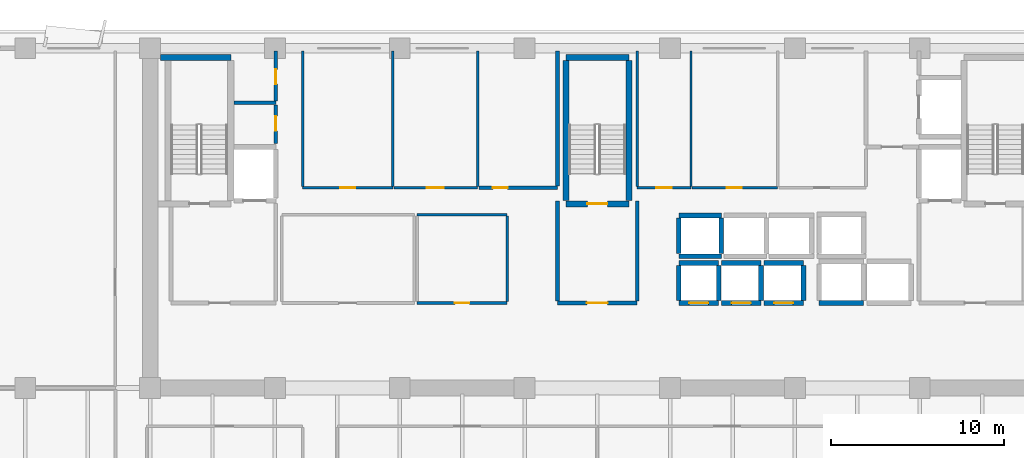
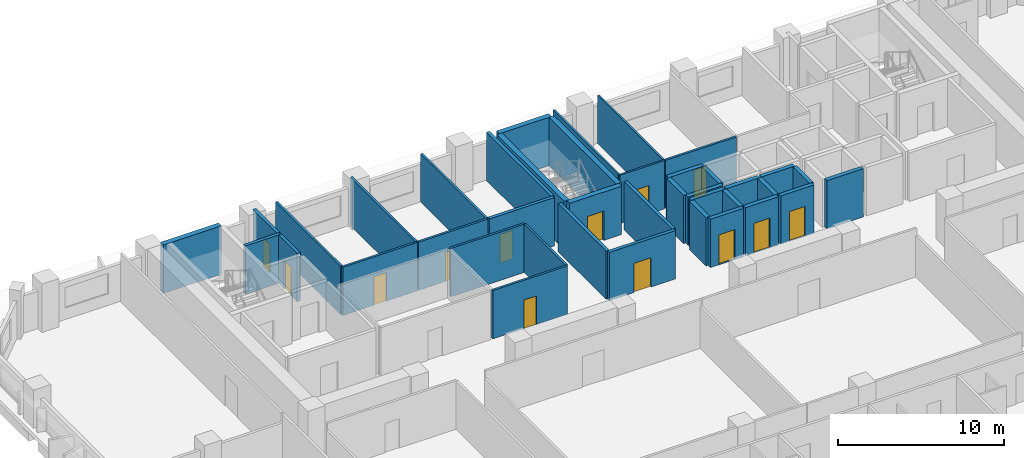
# One storey, part 7 of 15: 40 walls, 13 doors, 13 openings.
"""IFC4 building model written with IfcOpenShell, lengths in metres."""

from ifc_helpers import new_model, si_unit, direction, frame, frame_2d, origin, place, context, subcontext, project, spatial, rectangle, extrude, material, layer, layer_set, type_object, element, fill, save


model = new_model("IFC4")

# Units and contexts
model_context = context("Model", 3, precision=1e-05, world=origin(), true_north=direction((0.0, 1.0)))
body_context = subcontext(model_context, "Body", "Model", "MODEL_VIEW")
ifc_project = project(units=[si_unit("LENGTHUNIT", "METRE"), si_unit("AREAUNIT", "SQUARE_METRE"), si_unit("VOLUMEUNIT", "CUBIC_METRE"), si_unit("PLANEANGLEUNIT", "RADIAN"), si_unit("MASSUNIT", "GRAM", prefix="KILO")], contexts=[model_context])

# Site, building, storey
site_placement = place(None, origin())
site = spatial("IfcSite", under=ifc_project, at=site_placement, CompositionType="ELEMENT")
building_placement = place(site_placement, origin())
building = spatial("IfcBuilding", under=site, at=building_placement, Name="Kaelvorn Grand Hotel", CompositionType="ELEMENT")
storey_placement = place(building_placement, frame((0.0, 0.0, 154.35009765625)))
storey = spatial("IfcBuildingStorey", under=building, at=storey_placement, Name="L37", CompositionType="ELEMENT", Elevation=154.35009765625)

# Wall, opening, door
ifc_material_1 = material(Name="Moisture-Resistant Tile & Stud Board")
ifc_layer_1 = layer(ifc_material_1, 0.125)
ifc_layer_set_1 = layer_set([ifc_layer_1], Name="Moisture-Resistant Tile & Stud Board")
wall_type_1 = type_object("IfcWallType", Name="WL-PART-125-WET", PredefinedType="PARTITIONING", material=ifc_layer_set_1)
wall_1_placement = place(storey_placement, frame((44.300048828125, 40.949951171875, 0.0), z_axis=(0.0, 0.0, 1.0), x_axis=(1.0, 0.0, 0.0)))
wall_1 = element("IfcWall", 1, at=wall_1_placement, inside=storey, type_object=wall_type_1, Name="L37 Accessible WC S Partition", PredefinedType="PARTITIONING", context=body_context, shape_type="SweptSolid", body=[
    extrude(rectangle(XDim=3.099853515625, YDim=0.125, at=frame_2d((1.5498046875, 0.0))), origin(), (0.0, 0.0, 1.0), 3.559814453125),
])
opening_1_placement = place(wall_1_placement, frame((1.10009765625, 0.0, 0.0)))
opening_1 = element("IfcOpeningElement", 2, at=opening_1_placement, cuts=wall_1, Name="Opening DI4", PredefinedType="OPENING", context=body_context, shape_type="SweptSolid", body=[
    extrude(rectangle(XDim=0.89990234375, YDim=2.10009765625, at=frame_2d((0.449951171875, 1.050048828125))), frame((0.0, 0.072509765625, 0.0), z_axis=(0.0, -1.0, 0.0), x_axis=(1.0, 0.0, 0.0)), (0.0, 0.0, 1.0), 0.14501953125),
])
ifc_material_2 = material(Name="Timber Veneer Leaf", Category="wood")
door_type_1 = type_object("IfcDoorType", Name="DR-INT-BATH-900x2100", OperationType="NOTDEFINED", PredefinedType="DOOR", material=ifc_material_2)
door_1_placement = place(opening_1_placement, origin())
door_1 = element("IfcDoor", 3, at=door_1_placement, inside=storey, type_object=door_type_1, Name="L37 Accessible WC Door", OperationType="SINGLE_SWING_RIGHT", OverallHeight=2.10009765625, OverallWidth=0.89990234375, PredefinedType="DOOR", context=body_context, shape_type="SweptSolid", body=[
    extrude(rectangle(XDim=0.89990234375, YDim=2.10009765625, at=frame_2d((0.449951171875, 1.050048828125))), frame((0.0, 0.02490234375, 0.0), z_axis=(0.0, -1.0, 0.0), x_axis=(1.0, 0.0, 0.0)), (0.0, 0.0, 1.0), 0.050048828125),
])
fill(opening_1, door_1)

# Walls
for number, where, z_axis, x_axis, name in (
    (4, (44.300048828125, 41.017578125, 0.0), (0.0, 0.0, 1.0), (0.0, 1.0, 0.0), "L37 Accessible WC W Partition"),
    (5, (47.39990234375, 41.017578125, 0.0), (0.0, 0.0, 1.0), (0.0, 1.0, 0.0), "L37 Accessible WC E Partition"),
):
    element("IfcWall", number, at=place(storey_placement, frame(where, z_axis=z_axis, x_axis=x_axis)), inside=storey, type_object=wall_type_1, Name=name, PredefinedType="PARTITIONING", context=body_context, shape_type="SweptSolid", body=[
        extrude(rectangle(XDim=7.83251953125, YDim=0.125, at=frame_2d((3.916259765625, 0.0))), origin(), (0.0, 0.0, 1.0), 3.559814453125),
    ])

# Wall, opening, door
ifc_material_3 = material(Name="Acoustic Gypsum & Stud Partition")
ifc_layer_2 = layer(ifc_material_3, 0.14990234375)
ifc_layer_set_2 = layer_set([ifc_layer_2], Name="Acoustic Gypsum & Stud Partition")
wall_type_2 = type_object("IfcWallType", Name="WL-PART-150-EI60", PredefinedType="PARTITIONING", material=ifc_layer_set_2)
wall_2_placement = place(storey_placement, frame((31.60009765625, 34.300048828125, 0.0), z_axis=(0.0, 0.0, 1.0), x_axis=(1.0, 0.0, 0.0)))
wall_2 = element("IfcWall", 6, at=wall_2_placement, inside=storey, type_object=wall_type_2, Name="L37 Core Telecoms & BMS Server Room S Partition", PredefinedType="PARTITIONING", context=body_context, shape_type="SweptSolid", body=[
    extrude(rectangle(XDim=5.199951171875, YDim=0.14990234375, at=frame_2d((2.60009765625, 0.0))), origin(), (0.0, 0.0, 1.0), 3.559814453125),
])
opening_2_placement = place(wall_2_placement, frame((2.175048828125, 0.0, 0.0)))
opening_2 = element("IfcOpeningElement", 7, at=opening_2_placement, cuts=wall_2, Name="Opening DI7", PredefinedType="OPENING", context=body_context, shape_type="SweptSolid", body=[
    extrude(rectangle(XDim=0.85009765625, YDim=2.10009765625, at=frame_2d((0.425048828125, 1.050048828125))), frame((0.0, 0.0849609375, 0.0), z_axis=(0.0, -1.0, 0.0), x_axis=(1.0, 0.0, 0.0)), (0.0, 0.0, 1.0), 0.169921875),
])
ifc_material_4 = material(Name="Powder-Coated Steel Leaf", Category="steel")
door_type_2 = type_object("IfcDoorType", Name="DR-INT-RISER-850x2100", OperationType="NOTDEFINED", PredefinedType="DOOR", material=ifc_material_4)
door_2_placement = place(opening_2_placement, origin())
door_2 = element("IfcDoor", 8, at=door_2_placement, inside=storey, type_object=door_type_2, Name="L37 Core Telecoms & BMS Server Room Door", OperationType="SINGLE_SWING_LEFT", OverallHeight=2.10009765625, OverallWidth=0.85009765625, PredefinedType="DOOR", context=body_context, shape_type="SweptSolid", body=[
    extrude(rectangle(XDim=0.85009765625, YDim=2.10009765625, at=frame_2d((0.425048828125, 1.050048828125))), frame((0.0, 0.02490234375, 0.0), z_axis=(0.0, -1.0, 0.0), x_axis=(1.0, 0.0, 0.0)), (0.0, 0.0, 1.0), 0.050048828125),
])
fill(opening_2, door_2)

# Walls
wall_3_placement = place(storey_placement, frame((31.60009765625, 39.39990234375, 0.0), z_axis=(0.0, 0.0, 1.0), x_axis=(1.0, 0.0, 0.0)))
element("IfcWall", 9, at=wall_3_placement, inside=storey, type_object=wall_type_2, Name="L37 Core Telecoms & BMS Server Room N Partition", PredefinedType="PARTITIONING", context=body_context, shape_type="SweptSolid", body=[
    extrude(rectangle(XDim=5.199951171875, YDim=0.14990234375, at=frame_2d((2.60009765625, 0.0))), origin(), (0.0, 0.0, 1.0), 3.559814453125),
])
wall_4_placement = place(storey_placement, frame((36.800048828125, 34.3798828125, 0.0), z_axis=(0.0, 0.0, 1.0), x_axis=(0.0, 1.0, 0.0)))
element("IfcWall", 10, at=wall_4_placement, inside=storey, type_object=wall_type_2, Name="L37 Core Telecoms & BMS Server Room E Partition", PredefinedType="PARTITIONING", context=body_context, shape_type="SweptSolid", body=[
    extrude(rectangle(XDim=4.940185546875, YDim=0.14990234375, at=frame_2d((2.47021484375, 0.0))), origin(), (0.0, 0.0, 1.0), 3.559814453125),
])

# Wall, opening, door
wall_5_placement = place(storey_placement, frame((25.0, 40.949951171875, 0.0), z_axis=(0.0, 0.0, 1.0), x_axis=(1.0, 0.0, 0.0)))
wall_5 = element("IfcWall", 11, at=wall_5_placement, inside=storey, type_object=wall_type_2, Name="L37 Housekeeping & Linen Room S Partition", PredefinedType="PARTITIONING", context=body_context, shape_type="SweptSolid", body=[
    extrude(rectangle(XDim=5.199951171875, YDim=0.14990234375, at=frame_2d((2.60009765625, 0.0))), origin(), (0.0, 0.0, 1.0), 3.559814453125),
])
opening_3_placement = place(wall_5_placement, frame((2.175048828125, 0.0, 0.0)))
opening_3 = element("IfcOpeningElement", 12, at=opening_3_placement, cuts=wall_5, Name="Opening DI7", PredefinedType="OPENING", context=body_context, shape_type="SweptSolid", body=[
    extrude(rectangle(XDim=0.85009765625, YDim=2.10009765625, at=frame_2d((0.425048828125, 1.050048828125))), frame((0.0, 0.0849609375, 0.0), z_axis=(0.0, -1.0, 0.0), x_axis=(1.0, 0.0, 0.0)), (0.0, 0.0, 1.0), 0.169921875),
])
door_3_placement = place(opening_3_placement, origin())
door_3 = element("IfcDoor", 13, at=door_3_placement, inside=storey, type_object=door_type_2, Name="L37 Housekeeping & Linen Room Door", OperationType="SINGLE_SWING_LEFT", OverallHeight=2.10009765625, OverallWidth=0.85009765625, PredefinedType="DOOR", context=body_context, shape_type="SweptSolid", body=[
    extrude(rectangle(XDim=0.85009765625, YDim=2.10009765625, at=frame_2d((0.425048828125, 1.050048828125))), frame((0.0, 0.02490234375, 0.0), z_axis=(0.0, -1.0, 0.0), x_axis=(1.0, 0.0, 0.0)), (0.0, 0.0, 1.0), 0.050048828125),
])
fill(opening_3, door_3)

# Walls
for number, where, z_axis, x_axis, name in (
    (14, (25.0, 41.030029296875, 0.0), (0.0, 0.0, 1.0), (0.0, 1.0, 0.0), "L37 Housekeeping & Linen Room W Partition"),
    (15, (30.199951171875, 41.030029296875, 0.0), (0.0, 0.0, 1.0), (0.0, 1.0, 0.0), "L37 Housekeeping & Linen Room E Partition"),
):
    element("IfcWall", number, at=place(storey_placement, frame(where, z_axis=z_axis, x_axis=x_axis)), inside=storey, type_object=wall_type_2, Name=name, PredefinedType="PARTITIONING", context=body_context, shape_type="SweptSolid", body=[
        extrude(rectangle(XDim=7.820068359375, YDim=0.14990234375, at=frame_2d((3.91015625, 0.0))), origin(), (0.0, 0.0, 1.0), 3.559814453125),
    ])

# Wall, opening, door
wall_6_placement = place(storey_placement, frame((30.280029296875, 40.949951171875, 0.0), z_axis=(0.0, 0.0, 1.0), x_axis=(1.0, 0.0, 0.0)))
wall_6 = element("IfcWall", 16, at=wall_6_placement, inside=storey, type_object=wall_type_2, Name="L37 Room Service Servery Pantry S Partition", PredefinedType="PARTITIONING", context=body_context, shape_type="SweptSolid", body=[
    extrude(rectangle(XDim=4.820068359375, YDim=0.14990234375, at=frame_2d((2.41015625, 0.0))), origin(), (0.0, 0.0, 1.0), 3.559814453125),
])
opening_4_placement = place(wall_6_placement, frame((1.8701171875, 0.0, 0.0)))
opening_4 = element("IfcOpeningElement", 17, at=opening_4_placement, cuts=wall_6, Name="Opening DI3", PredefinedType="OPENING", context=body_context, shape_type="SweptSolid", body=[
    extrude(rectangle(XDim=1.0, YDim=2.14990234375, at=frame_2d((0.5, 1.074951171875))), frame((0.0, 0.0849609375, 0.0), z_axis=(0.0, -1.0, 0.0), x_axis=(1.0, 0.0, 0.0)), (0.0, 0.0, 1.0), 0.169921875),
])
ifc_material_5 = material(Name="Timber Veneer Fire Leaf", Category="wood")
door_type_3 = type_object("IfcDoorType", Name="DR-INT-GUEST-1000x2150", OperationType="NOTDEFINED", PredefinedType="DOOR", material=ifc_material_5)
door_4_placement = place(opening_4_placement, origin())
door_4 = element("IfcDoor", 18, at=door_4_placement, inside=storey, type_object=door_type_3, Name="L37 Room Service Servery Pantry Door", OperationType="SINGLE_SWING_RIGHT", OverallHeight=2.14990234375, OverallWidth=1.0, PredefinedType="DOOR", context=body_context, shape_type="SweptSolid", body=[
    extrude(rectangle(XDim=1.0, YDim=2.14990234375, at=frame_2d((0.5, 1.074951171875))), frame((0.0, 0.02490234375, 0.0), z_axis=(0.0, -1.0, 0.0), x_axis=(1.0, 0.0, 0.0)), (0.0, 0.0, 1.0), 0.050048828125),
])
fill(opening_4, door_4)

# Wall
wall_7_placement = place(storey_placement, frame((35.10009765625, 41.030029296875, 0.0), z_axis=(0.0, 0.0, 1.0), x_axis=(0.0, 1.0, 0.0)))
element("IfcWall", 19, at=wall_7_placement, inside=storey, type_object=wall_type_2, Name="L37 Room Service Servery Pantry E Partition", PredefinedType="PARTITIONING", context=body_context, shape_type="SweptSolid", body=[
    extrude(rectangle(XDim=7.820068359375, YDim=0.14990234375, at=frame_2d((3.91015625, 0.0))), origin(), (0.0, 0.0, 1.0), 3.559814453125),
])

# Wall, opening, door
wall_8_placement = place(storey_placement, frame((47.467529296875, 40.949951171875, 0.0), z_axis=(0.0, 0.0, 1.0), x_axis=(1.0, 0.0, 0.0)))
wall_8 = element("IfcWall", 20, at=wall_8_placement, inside=storey, type_object=wall_type_2, Name="L37 Valet & Luggage Store S Partition", PredefinedType="PARTITIONING", context=body_context, shape_type="SweptSolid", body=[
    extrude(rectangle(XDim=4.932373046875, YDim=0.14990234375, at=frame_2d((2.46630859375, 0.0))), origin(), (0.0, 0.0, 1.0), 3.559814453125),
])
opening_5_placement = place(wall_8_placement, frame((2.007568359375, 0.0, 0.0)))
opening_5 = element("IfcOpeningElement", 21, at=opening_5_placement, cuts=wall_8, Name="Opening DI7", PredefinedType="OPENING", context=body_context, shape_type="SweptSolid", body=[
    extrude(rectangle(XDim=0.85009765625, YDim=2.10009765625, at=frame_2d((0.425048828125, 1.050048828125))), frame((0.0, 0.0849609375, 0.0), z_axis=(0.0, -1.0, 0.0), x_axis=(1.0, 0.0, 0.0)), (0.0, 0.0, 1.0), 0.169921875),
])
door_5_placement = place(opening_5_placement, origin())
door_5 = element("IfcDoor", 22, at=door_5_placement, inside=storey, type_object=door_type_2, Name="L37 Valet & Luggage Store Door", OperationType="SINGLE_SWING_LEFT", OverallHeight=2.10009765625, OverallWidth=0.85009765625, PredefinedType="DOOR", context=body_context, shape_type="SweptSolid", body=[
    extrude(rectangle(XDim=0.85009765625, YDim=2.10009765625, at=frame_2d((0.425048828125, 1.050048828125))), frame((0.0, 0.02490234375, 0.0), z_axis=(0.0, -1.0, 0.0), x_axis=(1.0, 0.0, 0.0)), (0.0, 0.0, 1.0), 0.050048828125),
])
fill(opening_5, door_5)

ifc_material_6 = material(Name="Concrete C40/50", Category="concrete")
ifc_layer_3 = layer(ifc_material_6, 0.219970703125)
ifc_layer_set_3 = layer_set([ifc_layer_3], Name="Concrete C40/50")
wall_type_3 = type_object("IfcWallType", Name="WL-PART-220-EI120", PredefinedType="PARTITIONING", material=ifc_layer_set_3)
wall_9_placement = place(storey_placement, frame((39.699951171875, 34.300048828125, 0.0), z_axis=(0.0, 0.0, 1.0), x_axis=(1.0, 0.0, 0.0)))
wall_9 = element("IfcWall", 23, at=wall_9_placement, inside=storey, type_object=wall_type_3, Name="L37 Central Stair Escape Vestibule S Partition", PredefinedType="PARTITIONING", context=body_context, shape_type="SweptSolid", body=[
    extrude(rectangle(XDim=4.60009765625, YDim=0.219970703125, at=frame_2d((2.300048828125, 0.0))), origin(), (0.0, 0.0, 1.0), 3.559814453125),
])
opening_6_placement = place(wall_9_placement, frame((1.699951171875, 0.0, 0.0)))
opening_6 = element("IfcOpeningElement", 24, at=opening_6_placement, cuts=wall_9, Name="Opening DI2", PredefinedType="OPENING", context=body_context, shape_type="SweptSolid", body=[
    extrude(rectangle(XDim=1.199951171875, YDim=2.14990234375, at=frame_2d((0.60009765625, 1.074951171875))), frame((0.0, 0.1201171875, 0.0), z_axis=(0.0, -1.0, 0.0), x_axis=(1.0, 0.0, 0.0)), (0.0, 0.0, 1.0), 0.239990234375),
])
door_type_4 = type_object("IfcDoorType", Name="DR-INT-FFLOB-1200x2150", OperationType="NOTDEFINED", PredefinedType="DOOR", material=ifc_material_5)
door_6_placement = place(opening_6_placement, origin())
door_6 = element("IfcDoor", 25, at=door_6_placement, inside=storey, type_object=door_type_4, Name="L37 Central Stair Escape Vestibule Door", OperationType="SINGLE_SWING_LEFT", OverallHeight=2.14990234375, OverallWidth=1.199951171875, PredefinedType="DOOR", context=body_context, shape_type="SweptSolid", body=[
    extrude(rectangle(XDim=1.199951171875, YDim=2.14990234375, at=frame_2d((0.60009765625, 1.074951171875))), frame((0.0, 0.02490234375, 0.0), z_axis=(0.0, -1.0, 0.0), x_axis=(1.0, 0.0, 0.0)), (0.0, 0.0, 1.0), 0.050048828125),
])
fill(opening_6, door_6)

# Walls
for number, where, z_axis, x_axis, name in (
    (26, (39.699951171875, 34.4150390625, 0.0), (0.0, 0.0, 1.0), (0.0, 1.0, 0.0), "L37 Central Stair Escape Vestibule W Partition"),
    (27, (44.300048828125, 34.4150390625, 0.0), (0.0, 0.0, 1.0), (0.0, 1.0, 0.0), "L37 Central Stair Escape Vestibule E Partition"),
):
    element("IfcWall", number, at=place(storey_placement, frame(where, z_axis=z_axis, x_axis=x_axis)), inside=storey, type_object=wall_type_3, Name=name, PredefinedType="PARTITIONING", context=body_context, shape_type="SweptSolid", body=[
        extrude(rectangle(XDim=5.784912109375, YDim=0.219970703125, at=frame_2d((2.892578125, 0.0))), origin(), (0.0, 0.0, 1.0), 3.559814453125),
    ])
wall_10_placement = place(storey_placement, frame((21.034912109375, 45.85009765625, 0.0), z_axis=(0.0, 0.0, 1.0), x_axis=(1.0, 0.0, 0.0)))
element("IfcWall", 28, at=wall_10_placement, inside=storey, type_object=wall_type_3, Name="L37 Wet Fire & Plumbing Riser Shaft N Partition", PredefinedType="PARTITIONING", context=body_context, shape_type="SweptSolid", body=[
    extrude(rectangle(XDim=2.4150390625, YDim=0.219970703125, at=frame_2d((1.20751953125, 0.0))), origin(), (0.0, 0.0, 1.0), 3.559814453125),
])

# Wall, opening, door
wall_11_placement = place(storey_placement, frame((23.449951171875, 43.5, 0.0), z_axis=(0.0, 0.0, 1.0), x_axis=(0.0, 1.0, 0.0)))
wall_11 = element("IfcWall", 29, at=wall_11_placement, inside=storey, type_object=wall_type_3, Name="L37 Wet Fire & Plumbing Riser Shaft E Partition", PredefinedType="PARTITIONING", context=body_context, shape_type="SweptSolid", body=[
    extrude(rectangle(XDim=2.235107421875, YDim=0.219970703125, at=frame_2d((1.11767578125, 0.0))), origin(), (0.0, 0.0, 1.0), 3.559814453125),
])
opening_7_placement = place(wall_11_placement, frame((0.72509765625, 0.0, 0.0)))
opening_7 = element("IfcOpeningElement", 30, at=opening_7_placement, cuts=wall_11, Name="Opening DI7", PredefinedType="OPENING", context=body_context, shape_type="SweptSolid", body=[
    extrude(rectangle(XDim=0.85009765625, YDim=2.10009765625, at=frame_2d((0.425048828125, 1.050048828125))), frame((0.0, 0.1201171875, 0.0), z_axis=(0.0, -1.0, 0.0), x_axis=(1.0, 0.0, 0.0)), (0.0, 0.0, 1.0), 0.239990234375),
])
door_7_placement = place(opening_7_placement, origin())
door_7 = element("IfcDoor", 31, at=door_7_placement, inside=storey, type_object=door_type_2, Name="L37 Wet Fire & Plumbing Riser Shaft Door", OperationType="SINGLE_SWING_LEFT", OverallHeight=2.10009765625, OverallWidth=0.85009765625, PredefinedType="DOOR", context=body_context, shape_type="SweptSolid", body=[
    extrude(rectangle(XDim=0.85009765625, YDim=2.10009765625, at=frame_2d((0.425048828125, 1.050048828125))), frame((0.0, 0.02490234375, 0.0), z_axis=(0.0, -1.0, 0.0), x_axis=(1.0, 0.0, 0.0)), (0.0, 0.0, 1.0), 0.050048828125),
])
fill(opening_7, door_7)

wall_12_placement = place(storey_placement, frame((23.449951171875, 45.965087890625, 0.0), z_axis=(0.0, 0.0, 1.0), x_axis=(0.0, 1.0, 0.0)))
wall_12 = element("IfcWall", 32, at=wall_12_placement, inside=storey, type_object=wall_type_3, Name="L37 HV Electrical & Smoke Riser E Partition", PredefinedType="PARTITIONING", context=body_context, shape_type="SweptSolid", body=[
    extrude(rectangle(XDim=2.885009765625, YDim=0.219970703125, at=frame_2d((1.4423828125, 0.0))), origin(), (0.0, 0.0, 1.0), 3.559814453125),
])
opening_8_placement = place(wall_12_placement, frame((0.9599609375, 0.0, 0.0)))
opening_8 = element("IfcOpeningElement", 33, at=opening_8_placement, cuts=wall_12, Name="Opening DI7", PredefinedType="OPENING", context=body_context, shape_type="SweptSolid", body=[
    extrude(rectangle(XDim=0.85009765625, YDim=2.10009765625, at=frame_2d((0.425048828125, 1.050048828125))), frame((0.0, 0.1201171875, 0.0), z_axis=(0.0, -1.0, 0.0), x_axis=(1.0, 0.0, 0.0)), (0.0, 0.0, 1.0), 0.239990234375),
])
door_8_placement = place(opening_8_placement, origin())
door_8 = element("IfcDoor", 34, at=door_8_placement, inside=storey, type_object=door_type_2, Name="L37 HV Electrical & Smoke Riser Door", OperationType="SINGLE_SWING_RIGHT", OverallHeight=2.10009765625, OverallWidth=0.85009765625, PredefinedType="DOOR", context=body_context, shape_type="SweptSolid", body=[
    extrude(rectangle(XDim=0.85009765625, YDim=2.10009765625, at=frame_2d((0.425048828125, 1.050048828125))), frame((0.0, 0.02490234375, 0.0), z_axis=(0.0, -1.0, 0.0), x_axis=(1.0, 0.0, 0.0)), (0.0, 0.0, 1.0), 0.050048828125),
])
fill(opening_8, door_8)

wall_13_placement = place(storey_placement, frame((35.179931640625, 40.949951171875, 0.0), z_axis=(0.0, 0.0, 1.0), x_axis=(1.0, 0.0, 0.0)))
wall_13 = element("IfcWall", 35, at=wall_13_placement, inside=storey, type_object=wall_type_3, Name="L37 Floor Electrical Switchroom S Partition", PredefinedType="PARTITIONING", context=body_context, shape_type="SweptSolid", body=[
    extrude(rectangle(XDim=4.52001953125, YDim=0.219970703125, at=frame_2d((2.260009765625, 0.0))), origin(), (0.0, 0.0, 1.0), 3.559814453125),
])
opening_9_placement = place(wall_13_placement, frame((0.794921875, 0.0, 0.0)))
opening_9 = element("IfcOpeningElement", 36, at=opening_9_placement, cuts=wall_13, Name="Opening DI7", PredefinedType="OPENING", context=body_context, shape_type="SweptSolid", body=[
    extrude(rectangle(XDim=0.85009765625, YDim=2.10009765625, at=frame_2d((0.425048828125, 1.050048828125))), frame((0.0, 0.1201171875, 0.0), z_axis=(0.0, -1.0, 0.0), x_axis=(1.0, 0.0, 0.0)), (0.0, 0.0, 1.0), 0.239990234375),
])
door_9_placement = place(opening_9_placement, origin())
door_9 = element("IfcDoor", 37, at=door_9_placement, inside=storey, type_object=door_type_2, Name="L37 Floor Electrical Switchroom Door", OperationType="SINGLE_SWING_LEFT", OverallHeight=2.10009765625, OverallWidth=0.85009765625, PredefinedType="DOOR", context=body_context, shape_type="SweptSolid", body=[
    extrude(rectangle(XDim=0.85009765625, YDim=2.10009765625, at=frame_2d((0.425048828125, 1.050048828125))), frame((0.0, 0.02490234375, 0.0), z_axis=(0.0, -1.0, 0.0), x_axis=(1.0, 0.0, 0.0)), (0.0, 0.0, 1.0), 0.050048828125),
])
fill(opening_9, door_9)

# Wall
wall_14_placement = place(storey_placement, frame((39.699951171875, 41.06494140625, 0.0), z_axis=(0.0, 0.0, 1.0), x_axis=(0.0, 1.0, 0.0)))
element("IfcWall", 38, at=wall_14_placement, inside=storey, type_object=wall_type_3, Name="L37 Floor Electrical Switchroom E Partition", PredefinedType="PARTITIONING", context=body_context, shape_type="SweptSolid", body=[
    extrude(rectangle(XDim=7.78515625, YDim=0.219970703125, at=frame_2d((3.892578125, 0.0))), origin(), (0.0, 0.0, 1.0), 3.559814453125),
])

# Wall, opening, door
ifc_material_7 = material(Name="Concrete C50/60", Category="concrete")
ifc_layer_4 = layer(ifc_material_7, 0.280029296875)
ifc_layer_set_4 = layer_set([ifc_layer_4], Name="Concrete C50/60")
wall_type_4 = type_object("IfcWallType", Name="WL-SHAFT-280-C50", PredefinedType="SHEAR", material=ifc_layer_set_4)
wall_15_placement = place(storey_placement, frame((46.699951171875, 34.300048828125, 0.0), z_axis=(0.0, 0.0, 1.0), x_axis=(1.0, 0.0, 0.0)))
wall_15 = element("IfcWall", 39, at=wall_15_placement, inside=storey, type_object=wall_type_4, Name="L37 Lift PL-M1 Shaft South Wall", PredefinedType="SHEAR", context=body_context, shape_type="SweptSolid", body=[
    extrude(rectangle(XDim=2.300048828125, YDim=0.280029296875, at=frame_2d((1.14990234375, 0.0))), origin(), (0.0, 0.0, 1.0), 3.559814453125),
])
opening_10_placement = place(wall_15_placement, frame((0.60009765625, 0.0, 0.0)))
opening_10 = element("IfcOpeningElement", 40, at=opening_10_placement, cuts=wall_15, Name="Opening LD-PL-M1", PredefinedType="OPENING", context=body_context, shape_type="SweptSolid", body=[
    extrude(rectangle(XDim=1.10009765625, YDim=2.199951171875, at=frame_2d((0.550048828125, 1.10009765625))), frame((0.0, 0.14990234375, 0.0), z_axis=(0.0, -1.0, 0.0), x_axis=(1.0, 0.0, 0.0)), (0.0, 0.0, 1.0), 0.300048828125),
])
ifc_material_8 = material(Name="Stainless Steel", Category="steel")
door_type_5 = type_object("IfcDoorType", Name="DR-LIFT-PASS-1100x2200", OperationType="DOUBLE_DOOR_SLIDING", PredefinedType="DOOR", material=ifc_material_8)
door_10_placement = place(opening_10_placement, origin())
door_10 = element("IfcDoor", 41, at=door_10_placement, inside=storey, type_object=door_type_5, Name="L37 Lift PL-M1 Sliding Landing Door LD-PL-M1", OperationType="DOUBLE_DOOR_SLIDING", OverallHeight=2.199951171875, OverallWidth=1.10009765625, PredefinedType="DOOR", context=body_context, shape_type="SweptSolid", body=[
    extrude(rectangle(XDim=1.10009765625, YDim=2.199951171875, at=frame_2d((0.550048828125, 1.10009765625))), frame((0.0, 0.02490234375, 0.0), z_axis=(0.0, -1.0, 0.0), x_axis=(1.0, 0.0, 0.0)), (0.0, 0.0, 1.0), 0.050048828125),
])
fill(opening_10, door_10)

# Walls
wall_16_placement = place(storey_placement, frame((46.699951171875, 36.60009765625, 0.0), z_axis=(0.0, 0.0, 1.0), x_axis=(1.0, 0.0, 0.0)))
element("IfcWall", 42, at=wall_16_placement, inside=storey, type_object=wall_type_4, Name="L37 Lift PL-M1 Shaft North Wall", PredefinedType="SHEAR", context=body_context, shape_type="SweptSolid", body=[
    extrude(rectangle(XDim=2.300048828125, YDim=0.280029296875, at=frame_2d((1.14990234375, 0.0))), origin(), (0.0, 0.0, 1.0), 3.559814453125),
])
for number, where, z_axis, x_axis, name in (
    (43, (46.699951171875, 34.445068359375, 0.0), (0.0, 0.0, 1.0), (0.0, 1.0, 0.0), "L37 Lift PL-M1 Shaft West Wall"),
    (44, (49.0, 34.445068359375, 0.0), (0.0, 0.0, 1.0), (0.0, 1.0, 0.0), "L37 Lift PL-M1 Shaft East Wall"),
):
    element("IfcWall", number, at=place(storey_placement, frame(where, z_axis=z_axis, x_axis=x_axis)), inside=storey, type_object=wall_type_4, Name=name, PredefinedType="SHEAR", context=body_context, shape_type="SweptSolid", body=[
        extrude(rectangle(XDim=2.010009765625, YDim=0.280029296875, at=frame_2d((1.0048828125, 0.0))), origin(), (0.0, 0.0, 1.0), 3.559814453125),
    ])

# Wall, opening, door
wall_17_placement = place(storey_placement, frame((49.14990234375, 34.300048828125, 0.0), z_axis=(0.0, 0.0, 1.0), x_axis=(1.0, 0.0, 0.0)))
wall_17 = element("IfcWall", 45, at=wall_17_placement, inside=storey, type_object=wall_type_4, Name="L37 Lift PL-M2 Shaft South Wall", PredefinedType="SHEAR", context=body_context, shape_type="SweptSolid", body=[
    extrude(rectangle(XDim=2.300048828125, YDim=0.280029296875, at=frame_2d((1.14990234375, 0.0))), origin(), (0.0, 0.0, 1.0), 3.559814453125),
])
opening_11_placement = place(wall_17_placement, frame((0.60009765625, 0.0, 0.0)))
opening_11 = element("IfcOpeningElement", 46, at=opening_11_placement, cuts=wall_17, Name="Opening LD-PL-M2", PredefinedType="OPENING", context=body_context, shape_type="SweptSolid", body=[
    extrude(rectangle(XDim=1.10009765625, YDim=2.199951171875, at=frame_2d((0.550048828125, 1.10009765625))), frame((0.0, 0.14990234375, 0.0), z_axis=(0.0, -1.0, 0.0), x_axis=(1.0, 0.0, 0.0)), (0.0, 0.0, 1.0), 0.300048828125),
])
door_11_placement = place(opening_11_placement, origin())
door_11 = element("IfcDoor", 47, at=door_11_placement, inside=storey, type_object=door_type_5, Name="L37 Lift PL-M2 Sliding Landing Door LD-PL-M2", OperationType="DOUBLE_DOOR_SLIDING", OverallHeight=2.199951171875, OverallWidth=1.10009765625, PredefinedType="DOOR", context=body_context, shape_type="SweptSolid", body=[
    extrude(rectangle(XDim=1.10009765625, YDim=2.199951171875, at=frame_2d((0.550048828125, 1.10009765625))), frame((0.0, 0.02490234375, 0.0), z_axis=(0.0, -1.0, 0.0), x_axis=(1.0, 0.0, 0.0)), (0.0, 0.0, 1.0), 0.050048828125),
])
fill(opening_11, door_11)

# Walls
wall_18_placement = place(storey_placement, frame((49.14990234375, 36.60009765625, 0.0), z_axis=(0.0, 0.0, 1.0), x_axis=(1.0, 0.0, 0.0)))
element("IfcWall", 48, at=wall_18_placement, inside=storey, type_object=wall_type_4, Name="L37 Lift PL-M2 Shaft North Wall", PredefinedType="SHEAR", context=body_context, shape_type="SweptSolid", body=[
    extrude(rectangle(XDim=2.300048828125, YDim=0.280029296875, at=frame_2d((1.14990234375, 0.0))), origin(), (0.0, 0.0, 1.0), 3.559814453125),
])
wall_19_placement = place(storey_placement, frame((51.449951171875, 34.445068359375, 0.0), z_axis=(0.0, 0.0, 1.0), x_axis=(0.0, 1.0, 0.0)))
element("IfcWall", 49, at=wall_19_placement, inside=storey, type_object=wall_type_4, Name="L37 Lift PL-M2 Shaft East Wall", PredefinedType="SHEAR", context=body_context, shape_type="SweptSolid", body=[
    extrude(rectangle(XDim=2.010009765625, YDim=0.280029296875, at=frame_2d((1.0048828125, 0.0))), origin(), (0.0, 0.0, 1.0), 3.559814453125),
])

# Wall, opening, door
wall_20_placement = place(storey_placement, frame((51.60009765625, 34.300048828125, 0.0), z_axis=(0.0, 0.0, 1.0), x_axis=(1.0, 0.0, 0.0)))
wall_20 = element("IfcWall", 50, at=wall_20_placement, inside=storey, type_object=wall_type_4, Name="L37 Lift PL-M3 Shaft South Wall", PredefinedType="SHEAR", context=body_context, shape_type="SweptSolid", body=[
    extrude(rectangle(XDim=2.2998046875, YDim=0.280029296875, at=frame_2d((1.14990234375, 0.0))), origin(), (0.0, 0.0, 1.0), 3.559814453125),
])
opening_12_placement = place(wall_20_placement, frame((0.60009765625, 0.0, 0.0)))
opening_12 = element("IfcOpeningElement", 51, at=opening_12_placement, cuts=wall_20, Name="Opening LD-PL-M3", PredefinedType="OPENING", context=body_context, shape_type="SweptSolid", body=[
    extrude(rectangle(XDim=1.10009765625, YDim=2.199951171875, at=frame_2d((0.550048828125, 1.10009765625))), frame((0.0, 0.14990234375, 0.0), z_axis=(0.0, -1.0, 0.0), x_axis=(1.0, 0.0, 0.0)), (0.0, 0.0, 1.0), 0.300048828125),
])
door_12_placement = place(opening_12_placement, origin())
door_12 = element("IfcDoor", 52, at=door_12_placement, inside=storey, type_object=door_type_5, Name="L37 Lift PL-M3 Sliding Landing Door LD-PL-M3", OperationType="DOUBLE_DOOR_SLIDING", OverallHeight=2.199951171875, OverallWidth=1.10009765625, PredefinedType="DOOR", context=body_context, shape_type="SweptSolid", body=[
    extrude(rectangle(XDim=1.10009765625, YDim=2.199951171875, at=frame_2d((0.550048828125, 1.10009765625))), frame((0.0, 0.02490234375, 0.0), z_axis=(0.0, -1.0, 0.0), x_axis=(1.0, 0.0, 0.0)), (0.0, 0.0, 1.0), 0.050048828125),
])
fill(opening_12, door_12)

# Walls
wall_21_placement = place(storey_placement, frame((51.60009765625, 36.60009765625, 0.0), z_axis=(0.0, 0.0, 1.0), x_axis=(1.0, 0.0, 0.0)))
element("IfcWall", 53, at=wall_21_placement, inside=storey, type_object=wall_type_4, Name="L37 Lift PL-M3 Shaft North Wall", PredefinedType="SHEAR", context=body_context, shape_type="SweptSolid", body=[
    extrude(rectangle(XDim=2.2998046875, YDim=0.280029296875, at=frame_2d((1.14990234375, 0.0))), origin(), (0.0, 0.0, 1.0), 3.559814453125),
])
wall_22_placement = place(storey_placement, frame((53.89990234375, 34.445068359375, 0.0), z_axis=(0.0, 0.0, 1.0), x_axis=(0.0, 1.0, 0.0)))
element("IfcWall", 54, at=wall_22_placement, inside=storey, type_object=wall_type_4, Name="L37 Lift PL-M3 Shaft East Wall", PredefinedType="SHEAR", context=body_context, shape_type="SweptSolid", body=[
    extrude(rectangle(XDim=2.010009765625, YDim=0.280029296875, at=frame_2d((1.0048828125, 0.0))), origin(), (0.0, 0.0, 1.0), 3.559814453125),
])
for number, where, z_axis, x_axis, name in (
    (55, (46.699951171875, 37.0, 0.0), (0.0, 0.0, 1.0), (1.0, 0.0, 0.0), "L37 Lift SL-1 Shaft South Wall"),
    (56, (46.699951171875, 39.35009765625, 0.0), (0.0, 0.0, 1.0), (1.0, 0.0, 0.0), "L37 Lift SL-1 Shaft North Wall"),
):
    element("IfcWall", number, at=place(storey_placement, frame(where, z_axis=z_axis, x_axis=x_axis)), inside=storey, type_object=wall_type_4, Name=name, PredefinedType="SHEAR", context=body_context, shape_type="SweptSolid", body=[
        extrude(rectangle(XDim=2.449951171875, YDim=0.280029296875, at=frame_2d((1.22509765625, 0.0))), origin(), (0.0, 0.0, 1.0), 3.559814453125),
    ])
for number, where, z_axis, x_axis, name in (
    (57, (46.699951171875, 37.14501953125, 0.0), (0.0, 0.0, 1.0), (0.0, 1.0, 0.0), "L37 Lift SL-1 Shaft West Wall"),
    (58, (49.14990234375, 37.14501953125, 0.0), (0.0, 0.0, 1.0), (0.0, 1.0, 0.0), "L37 Lift SL-1 Shaft East Wall"),
):
    element("IfcWall", number, at=place(storey_placement, frame(where, z_axis=z_axis, x_axis=x_axis)), inside=storey, type_object=wall_type_4, Name=name, PredefinedType="SHEAR", context=body_context, shape_type="SweptSolid", body=[
        extrude(rectangle(XDim=2.06005859375, YDim=0.280029296875, at=frame_2d((1.030029296875, 0.0))), origin(), (0.0, 0.0, 1.0), 3.559814453125),
    ])
wall_23_placement = place(storey_placement, frame((54.800048828125, 34.300048828125, 0.0), z_axis=(0.0, 0.0, 1.0), x_axis=(1.0, 0.0, 0.0)))
element("IfcWall", 59, at=wall_23_placement, inside=storey, type_object=wall_type_4, Name="L37 Lift OL-1 Shaft South Wall", PredefinedType="SHEAR", context=body_context, shape_type="SweptSolid", body=[
    extrude(rectangle(XDim=2.550048828125, YDim=0.280029296875, at=frame_2d((1.27490234375, 0.0))), origin(), (0.0, 0.0, 1.0), 3.559814453125),
])
ifc_material_9 = material(Name="Concrete C60/75", Category="concrete")
ifc_layer_5 = layer(ifc_material_9, 0.35009765625)
ifc_layer_set_5 = layer_set([ifc_layer_5], Name="Concrete C60/75")
wall_type_5 = type_object("IfcWallType", Name="WL-SHAFT-350-C60", PredefinedType="SHEAR", material=ifc_layer_set_5)
wall_24_placement = place(storey_placement, frame((16.804931640625, 48.47509765625, 0.0), z_axis=(0.0, 0.0, 1.0), x_axis=(1.0, 0.0, 0.0)))
element("IfcWall", 60, at=wall_24_placement, inside=storey, type_object=wall_type_5, Name="L37 ST1 Stair Shaft North Wall", PredefinedType="SHEAR", context=body_context, shape_type="SweptSolid", body=[
    extrude(rectangle(XDim=4.050048828125, YDim=0.35009765625, at=frame_2d((2.02490234375, 0.0))), origin(), (0.0, 0.0, 1.0), 3.559814453125),
])

# Wall, opening, door
wall_25_placement = place(storey_placement, frame((40.18505859375, 40.02490234375, 0.0), z_axis=(0.0, 0.0, 1.0), x_axis=(1.0, 0.0, 0.0)))
wall_25 = element("IfcWall", 61, at=wall_25_placement, inside=storey, type_object=wall_type_5, Name="L37 ST2 Stair Shaft South Wall", PredefinedType="SHEAR", context=body_context, shape_type="SweptSolid", body=[
    extrude(rectangle(XDim=3.6298828125, YDim=0.35009765625, at=frame_2d((1.81494140625, 0.0))), origin(), (0.0, 0.0, 1.0), 3.559814453125),
])
opening_13_placement = place(wall_25_placement, frame((1.239990234375, 0.0, 0.0)))
opening_13 = element("IfcOpeningElement", 62, at=opening_13_placement, cuts=wall_25, Name="Opening DI1", PredefinedType="OPENING", context=body_context, shape_type="SweptSolid", body=[
    extrude(rectangle(XDim=1.14990234375, YDim=2.14990234375, at=frame_2d((0.574951171875, 1.074951171875))), frame((0.0, 0.18505859375, 0.0), z_axis=(0.0, -1.0, 0.0), x_axis=(1.0, 0.0, 0.0)), (0.0, 0.0, 1.0), 0.3701171875),
])
door_type_6 = type_object("IfcDoorType", Name="DR-INT-STAIR-1150x2150", OperationType="NOTDEFINED", PredefinedType="DOOR", material=ifc_material_5)
door_13_placement = place(opening_13_placement, origin())
door_13 = element("IfcDoor", 63, at=door_13_placement, inside=storey, type_object=door_type_6, Name="L37 ST2 Exit Stair Fire Door", OperationType="SINGLE_SWING_LEFT", OverallHeight=2.14990234375, OverallWidth=1.14990234375, PredefinedType="DOOR", context=body_context, shape_type="SweptSolid", body=[
    extrude(rectangle(XDim=1.14990234375, YDim=2.14990234375, at=frame_2d((0.574951171875, 1.074951171875))), frame((0.0, 0.02490234375, 0.0), z_axis=(0.0, -1.0, 0.0), x_axis=(1.0, 0.0, 0.0)), (0.0, 0.0, 1.0), 0.050048828125),
])
fill(opening_13, door_13)

# Walls
wall_26_placement = place(storey_placement, frame((40.18505859375, 48.47509765625, 0.0), z_axis=(0.0, 0.0, 1.0), x_axis=(1.0, 0.0, 0.0)))
element("IfcWall", 64, at=wall_26_placement, inside=storey, type_object=wall_type_5, Name="L37 ST2 Stair Shaft North Wall", PredefinedType="SHEAR", context=body_context, shape_type="SweptSolid", body=[
    extrude(rectangle(XDim=3.6298828125, YDim=0.35009765625, at=frame_2d((1.81494140625, 0.0))), origin(), (0.0, 0.0, 1.0), 3.559814453125),
])
for number, where, z_axis, x_axis, name in (
    (65, (40.18505859375, 40.205078125, 0.0), (0.0, 0.0, 1.0), (0.0, 1.0, 0.0), "L37 ST2 Stair Shaft West Wall"),
    (66, (43.81494140625, 40.205078125, 0.0), (0.0, 0.0, 1.0), (0.0, 1.0, 0.0), "L37 ST2 Stair Shaft East Wall"),
):
    element("IfcWall", number, at=place(storey_placement, frame(where, z_axis=z_axis, x_axis=x_axis)), inside=storey, type_object=wall_type_5, Name=name, PredefinedType="SHEAR", context=body_context, shape_type="SweptSolid", body=[
        extrude(rectangle(XDim=8.08984375, YDim=0.35009765625, at=frame_2d((4.044921875, 0.0))), origin(), (0.0, 0.0, 1.0), 3.559814453125),
    ])

save(model, "model.ifc")
